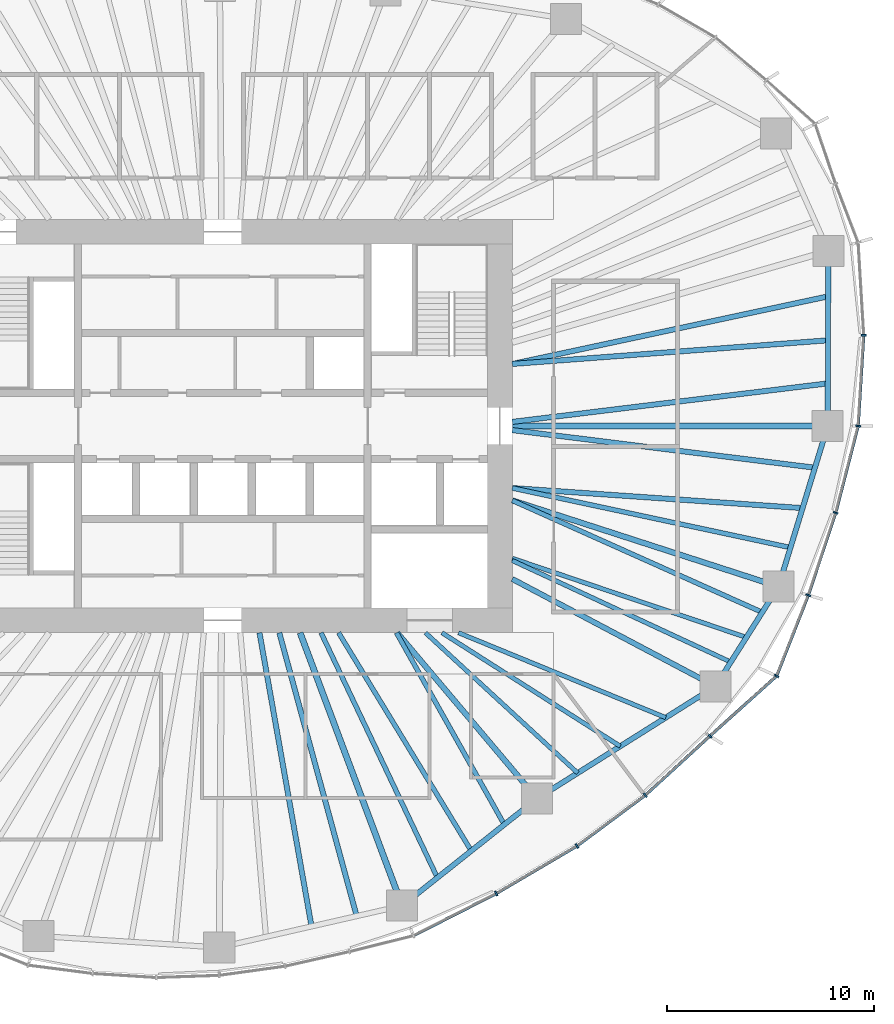
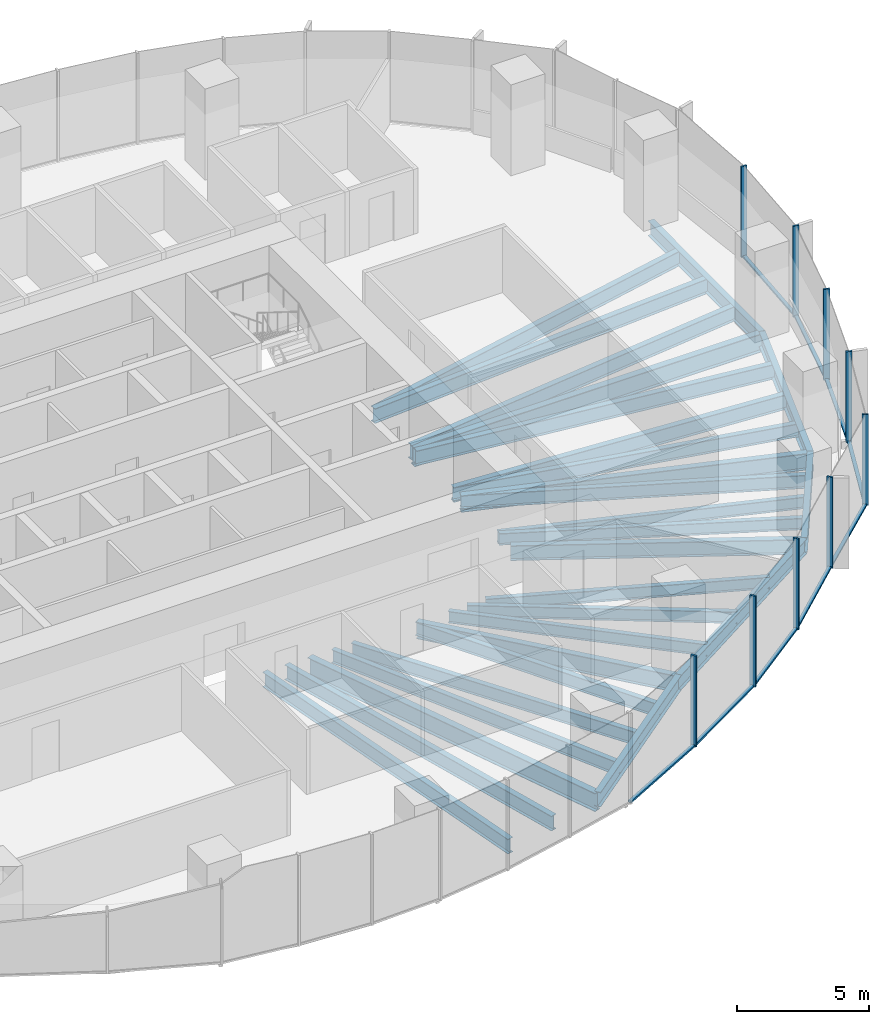
# One storey, part 4 of 18: 27 beams, 18 members, 5 elements without a shape of their own.
"""IFC4 building model written with IfcOpenShell, lengths in metres."""

from ifc_helpers import new_model, si_unit, direction, frame, origin, origin_2d, place, context, subcontext, project, spatial, rectangle, i_section, extrude, material, material_profile, profile_set, type_object, element, aggregate, save


model = new_model("IFC4")

# Units and contexts
model_context = context("Model", 3, precision=1e-05, world=origin(), true_north=direction((0.0, 1.0)))
body_context = subcontext(model_context, "Body", "Model", "MODEL_VIEW")
ifc_project = project(units=[si_unit("LENGTHUNIT", "METRE"), si_unit("AREAUNIT", "SQUARE_METRE"), si_unit("VOLUMEUNIT", "CUBIC_METRE"), si_unit("PLANEANGLEUNIT", "RADIAN"), si_unit("MASSUNIT", "GRAM", prefix="KILO")], contexts=[model_context])

# Site, building, storey
site_placement = place(None, origin())
site = spatial("IfcSite", under=ifc_project, at=site_placement, CompositionType="ELEMENT")
building_placement = place(site_placement, origin())
building = spatial("IfcBuilding", under=site, at=building_placement, Name="Ghaith Harvest Tower", CompositionType="ELEMENT")
storey_placement = place(building_placement, frame((0.0, 0.0, 142.800048828125)))
storey = spatial("IfcBuildingStorey", under=building, at=storey_placement, Name="L30", CompositionType="ELEMENT", Elevation=142.800048828125)

# Curtain wall, members
ifc_material_1 = material(Name="Black anodised aluminium and fritted glass", Category="aluminium")
curtain_wall_type = type_object("IfcCurtainWallType", Name="CW-L CURTAIN WALL", PredefinedType="NOTDEFINED", material=ifc_material_1)
curtain_wall_1_placement = place(storey_placement, origin())
curtain_wall_1 = element("IfcCurtainWall", 1, at=curtain_wall_1_placement, inside=storey, type_object=curtain_wall_type, Name="Curtain wall CW-L bay 01 L30", PredefinedType="NOTDEFINED")
ifc_material_2 = material(Name="Aluminium, black anodised", Category="aluminium")
ifc_material_profile_1 = material_profile(ifc_material_2, rectangle(XDim=0.080078125, YDim=0.239990234375, at=origin_2d()), Name="CW-L MULLION 80x240")
ifc_profile_set_1 = profile_set([ifc_material_profile_1], Name="Aluminium, black anodised")
member_type_1 = type_object("IfcMemberType", Name="CW-L MULLION 80x240", PredefinedType="MULLION", material=ifc_profile_set_1)
member_1_placement = place(storey_placement, frame((30.728759765625, 0.0, 0.0), z_axis=(0.0, 0.0, 1.0), x_axis=(0.155597142981, 0.987820595602, 0.0)))
member_1 = element("IfcMember", 2, at=member_1_placement, type_object=member_type_1, Name="CW-L mullion 1 bay 01 L30", PredefinedType="MULLION", context=body_context, shape_type="SweptSolid", body=[
    extrude(rectangle(XDim=0.080078125, YDim=0.239990234375, at=origin_2d()), origin(), (0.0, 0.0, 1.0), 4.199951171875),
])
member_2_placement = place(storey_placement, frame((30.998779296875, 4.389892578125, 0.0), z_axis=(0.0, 0.0, 1.0), x_axis=(-0.000162467394, 0.999999986802, 0.0)))
member_2 = element("IfcMember", 3, at=member_2_placement, type_object=member_type_1, Name="CW-L mullion 2 bay 01 L30", PredefinedType="MULLION", context=body_context, shape_type="SweptSolid", body=[
    extrude(rectangle(XDim=0.080078125, YDim=0.239990234375, at=origin_2d()), origin(), (0.0, 0.0, 1.0), 4.199951171875),
])

# Curtain wall, member
curtain_wall_2_placement = place(storey_placement, origin())
curtain_wall_2 = element("IfcCurtainWall", 4, at=curtain_wall_2_placement, inside=storey, type_object=curtain_wall_type, Name="Curtain wall CW-L bay 17 L30", PredefinedType="NOTDEFINED")
member_3_placement = place(storey_placement, frame((13.224365234375, -22.614013671875, 0.0), z_axis=(0.0, 0.0, 1.0), x_axis=(0.876898762173, 0.480675109507, 0.0)))
member_3 = element("IfcMember", 5, at=member_3_placement, type_object=member_type_1, Name="CW-L mullion 2 bay 17 L30", PredefinedType="MULLION", context=body_context, shape_type="SweptSolid", body=[
    extrude(rectangle(XDim=0.080078125, YDim=0.239990234375, at=origin_2d()), origin(), (0.0, 0.0, 1.0), 4.199951171875),
])

# Curtain wall, members
curtain_wall_3_placement = place(storey_placement, origin())
curtain_wall_3 = element("IfcCurtainWall", 6, at=curtain_wall_3_placement, inside=storey, type_object=curtain_wall_type, Name="Curtain wall CW-L bay 18 L30", PredefinedType="NOTDEFINED")
member_4_placement = place(storey_placement, frame((17.1318359375, -20.31591796875, 0.0), z_axis=(0.0, 0.0, 1.0), x_axis=(0.834887453241, 0.550420694035, 0.0)))
member_4 = element("IfcMember", 7, at=member_4_placement, type_object=member_type_1, Name="CW-L mullion 1 bay 18 L30", PredefinedType="MULLION", context=body_context, shape_type="SweptSolid", body=[
    extrude(rectangle(XDim=0.080078125, YDim=0.239990234375, at=origin_2d()), origin(), (0.0, 0.0, 1.0), 4.199951171875),
])
member_5_placement = place(storey_placement, frame((20.4296875, -17.86376953125, 0.0), z_axis=(0.0, 0.0, 1.0), x_axis=(0.770306399656, 0.637673937564, 0.0)))
member_5 = element("IfcMember", 8, at=member_5_placement, type_object=member_type_1, Name="CW-L mullion 2 bay 18 L30", PredefinedType="MULLION", context=body_context, shape_type="SweptSolid", body=[
    extrude(rectangle(XDim=0.080078125, YDim=0.239990234375, at=origin_2d()), origin(), (0.0, 0.0, 1.0), 4.199951171875),
])

curtain_wall_4_placement = place(storey_placement, origin())
curtain_wall_4 = element("IfcCurtainWall", 9, at=curtain_wall_4_placement, inside=storey, type_object=curtain_wall_type, Name="Curtain wall CW-L bay 19 L30", PredefinedType="NOTDEFINED")
member_6_placement = place(storey_placement, frame((23.560546875, -14.994140625, 0.0), z_axis=(0.0, 0.0, 1.0), x_axis=(0.740389054945, 0.672178582906, 0.0)))
member_6 = element("IfcMember", 10, at=member_6_placement, type_object=member_type_1, Name="CW-L mullion 1 bay 19 L30", PredefinedType="MULLION", context=body_context, shape_type="SweptSolid", body=[
    extrude(rectangle(XDim=0.080078125, YDim=0.239990234375, at=origin_2d()), origin(), (0.0, 0.0, 1.0), 4.199951171875),
])
member_7_placement = place(storey_placement, frame((26.786376953125, -12.0927734375, 0.0), z_axis=(0.0, 0.0, 1.0), x_axis=(0.572853476908, 0.819657790785, 0.0)))
member_7 = element("IfcMember", 11, at=member_7_placement, type_object=member_type_1, Name="CW-L mullion 2 bay 19 L30", PredefinedType="MULLION", context=body_context, shape_type="SweptSolid", body=[
    extrude(rectangle(XDim=0.080078125, YDim=0.239990234375, at=origin_2d()), origin(), (0.0, 0.0, 1.0), 4.199951171875),
])

curtain_wall_5_placement = place(storey_placement, origin())
curtain_wall_5 = element("IfcCurtainWall", 12, at=curtain_wall_5_placement, inside=storey, type_object=curtain_wall_type, Name="Curtain wall CW-L bay 20 L30", PredefinedType="NOTDEFINED")
member_8_placement = place(storey_placement, frame((28.319580078125, -8.184814453125, 0.0), z_axis=(0.0, 0.0, 1.0), x_axis=(0.34057402484, 0.94021770543, 0.0)))
member_8 = element("IfcMember", 13, at=member_8_placement, type_object=member_type_1, Name="CW-L mullion 1 bay 20 L30", PredefinedType="MULLION", context=body_context, shape_type="SweptSolid", body=[
    extrude(rectangle(XDim=0.080078125, YDim=0.239990234375, at=origin_2d()), origin(), (0.0, 0.0, 1.0), 4.199951171875),
])
member_9_placement = place(storey_placement, frame((29.64599609375, -4.1982421875, 0.0), z_axis=(0.0, 0.0, 1.0), x_axis=(0.282375140161, 0.959304060358, 0.0)))
member_9 = element("IfcMember", 14, at=member_9_placement, type_object=member_type_1, Name="CW-L mullion 2 bay 20 L30", PredefinedType="MULLION", context=body_context, shape_type="SweptSolid", body=[
    extrude(rectangle(XDim=0.080078125, YDim=0.239990234375, at=origin_2d()), origin(), (0.0, 0.0, 1.0), 4.199951171875),
])

# Member
ifc_material_3 = material(Name="Aluminium, black anodised", Category="aluminium")
ifc_material_profile_2 = material_profile(ifc_material_3, rectangle(XDim=0.14990234375, YDim=0.080078125, at=origin_2d()), Name="CW-L TRANSOM 150x80")
ifc_profile_set_2 = profile_set([ifc_material_profile_2], Name="Aluminium, black anodised")
member_type_2 = type_object("IfcMemberType", Name="CW-L TRANSOM 150x80", PredefinedType="USERDEFINED", material=ifc_profile_set_2)
member_10_placement = place(storey_placement, frame((30.731201171875, 0.0400390625, 0.0400390625), z_axis=(0.061403204251, 0.99811304295, 0.0), x_axis=(-0.99811304295, 0.061403204251, 0.0)))
member_10 = element("IfcMember", 15, at=member_10_placement, type_object=member_type_2, Name="CW-L transom 1 bay 01 L30", ObjectType="TRANSOM", PredefinedType="USERDEFINED", context=body_context, shape_type="SweptSolid", body=[
    extrude(rectangle(XDim=0.14990234375, YDim=0.080078125, at=origin_2d()), origin(), (0.0, 0.0, 1.0), 4.31787109375),
])

aggregate(curtain_wall_1, [member_1, member_10, member_2])

member_11_placement = place(storey_placement, frame((9.25244140625, -24.636474609375, 0.0400390625), z_axis=(0.891120044719, 0.453767634258, 0.0), x_axis=(-0.453767634258, 0.891120044719, 0.0)))
member_11 = element("IfcMember", 16, at=member_11_placement, type_object=member_type_2, Name="CW-L transom 1 bay 17 L30", ObjectType="TRANSOM", PredefinedType="USERDEFINED", context=body_context, shape_type="SweptSolid", body=[
    extrude(rectangle(XDim=0.14990234375, YDim=0.080078125, at=origin_2d()), origin(), (0.0, 0.0, 1.0), 4.417236328125),
])

member_12_placement = place(storey_placement, frame((13.259033203125, -22.59375, 0.0400390625), z_axis=(0.86196381091, 0.506969810424, 0.0), x_axis=(-0.506969810424, 0.86196381091, 0.0)))
member_12 = element("IfcMember", 17, at=member_12_placement, type_object=member_type_2, Name="CW-L transom 2 bay 17 L30", ObjectType="TRANSOM", PredefinedType="USERDEFINED", context=body_context, shape_type="SweptSolid", body=[
    extrude(rectangle(XDim=0.14990234375, YDim=0.080078125, at=origin_2d()), origin(), (0.0, 0.0, 1.0), 4.453125),
])

aggregate(curtain_wall_2, [member_11, member_3, member_12])

member_13_placement = place(storey_placement, frame((17.1640625, -20.2919921875, 0.0400390625), z_axis=(0.802465316609, 0.59669876457, 0.0), x_axis=(-0.59669876457, 0.802465316609, 0.0)))
member_13 = element("IfcMember", 18, at=member_13_placement, type_object=member_type_2, Name="CW-L transom 1 bay 18 L30", ObjectType="TRANSOM", PredefinedType="USERDEFINED", context=body_context, shape_type="SweptSolid", body=[
    extrude(rectangle(XDim=0.14990234375, YDim=0.080078125, at=origin_2d()), origin(), (0.0, 0.0, 1.0), 4.029296875),
])

member_14_placement = place(storey_placement, frame((20.459228515625, -17.836669921875, 0.0400390625), z_axis=(0.737197916434, 0.675676869521, 0.0), x_axis=(-0.675676869521, 0.737197916434, 0.0)))
member_14 = element("IfcMember", 19, at=member_14_placement, type_object=member_type_2, Name="CW-L transom 2 bay 18 L30", ObjectType="TRANSOM", PredefinedType="USERDEFINED", context=body_context, shape_type="SweptSolid", body=[
    extrude(rectangle(XDim=0.14990234375, YDim=0.080078125, at=origin_2d()), origin(), (0.0, 0.0, 1.0), 4.166748046875),
])

aggregate(curtain_wall_3, [member_4, member_13, member_5, member_14])

member_15_placement = place(storey_placement, frame((23.59033203125, -14.967529296875, 0.0400390625), z_axis=(0.74346800111, 0.668771509056, 0.0), x_axis=(-0.668771509056, 0.74346800111, 0.0)))
member_15 = element("IfcMember", 20, at=member_15_placement, type_object=member_type_2, Name="CW-L transom 1 bay 19 L30", ObjectType="TRANSOM", PredefinedType="USERDEFINED", context=body_context, shape_type="SweptSolid", body=[
    extrude(rectangle(XDim=0.14990234375, YDim=0.080078125, at=origin_2d()), origin(), (0.0, 0.0, 1.0), 4.2587890625),
])

member_16_placement = place(storey_placement, frame((26.801025390625, -12.055419921875, 0.0400390625), z_axis=(0.365228588652, 0.930917868575, 0.0), x_axis=(-0.930917868575, 0.365228588652, 0.0)))
member_16 = element("IfcMember", 21, at=member_16_placement, type_object=member_type_2, Name="CW-L transom 2 bay 19 L30", ObjectType="TRANSOM", PredefinedType="USERDEFINED", context=body_context, shape_type="SweptSolid", body=[
    extrude(rectangle(XDim=0.14990234375, YDim=0.080078125, at=origin_2d()), origin(), (0.0, 0.0, 1.0), 4.11767578125),
])

aggregate(curtain_wall_4, [member_6, member_15, member_7, member_16])

member_17_placement = place(storey_placement, frame((28.33203125, -8.14697265625, 0.0400390625), z_axis=(0.315712391444, 0.948854934059, 0.0), x_axis=(-0.948854934059, 0.315712391444, 0.0)))
member_17 = element("IfcMember", 22, at=member_17_placement, type_object=member_type_2, Name="CW-L transom 1 bay 20 L30", ObjectType="TRANSOM", PredefinedType="USERDEFINED", context=body_context, shape_type="SweptSolid", body=[
    extrude(rectangle(XDim=0.14990234375, YDim=0.080078125, at=origin_2d()), origin(), (0.0, 0.0, 1.0), 4.12158203125),
])

member_18_placement = place(storey_placement, frame((29.656005859375, -4.159423828125, 0.0400390625), z_axis=(0.249737470584, 0.968313583395, 0.0), x_axis=(-0.968313583395, 0.249737470584, 0.0)))
member_18 = element("IfcMember", 23, at=member_18_placement, type_object=member_type_2, Name="CW-L transom 2 bay 20 L30", ObjectType="TRANSOM", PredefinedType="USERDEFINED", context=body_context, shape_type="SweptSolid", body=[
    extrude(rectangle(XDim=0.14990234375, YDim=0.080078125, at=origin_2d()), origin(), (0.0, 0.0, 1.0), 4.25537109375),
])

aggregate(curtain_wall_5, [member_8, member_17, member_9, member_18])

# Beams
ifc_material_4 = material(Name="Steel ASTM A992 Grade 50", Category="steel")
ifc_material_profile_3 = material_profile(ifc_material_4, i_section(OverallWidth=0.25390625, OverallDepth=0.68408203125, WebThickness=0.012451171875, FlangeThickness=0.018798828125, at=origin_2d()), Name="W690X140")
ifc_profile_set_3 = profile_set([ifc_material_profile_3], Name="Steel ASTM A992 Grade 50")
beam_type_1 = type_object("IfcBeamType", Name="E690-140 W690X140", PredefinedType="SPANDREL", material=ifc_profile_set_3)
beam_1_placement = place(storey_placement, frame((29.259033203125, 0.0, -0.511962890625), z_axis=(0.003172847394, 0.999994966507, 0.0), x_axis=(-0.999994966507, 0.003172847394, 0.0)))
element("IfcBeam", 24, at=beam_1_placement, inside=storey, type_object=beam_type_1, Name="Edge beam E01 L30", PredefinedType="SPANDREL", context=body_context, shape_type="SweptSolid", body=[
    extrude(i_section(OverallWidth=0.25390625, OverallDepth=0.68408203125, WebThickness=0.012451171875, FlangeThickness=0.018798828125, at=origin_2d()), origin(), (0.0, 0.0, 1.0), 8.464111328125),
])
beam_2_placement = place(storey_placement, frame((8.674072265625, -23.202880859375, -0.511962890625), z_axis=(0.783159540917, 0.621820821033, 0.0), x_axis=(-0.621820821033, 0.783159540917, 0.0)))
element("IfcBeam", 25, at=beam_2_placement, inside=storey, type_object=beam_type_1, Name="Edge beam E17 L30", PredefinedType="SPANDREL", context=body_context, shape_type="SweptSolid", body=[
    extrude(i_section(OverallWidth=0.25390625, OverallDepth=0.68408203125, WebThickness=0.012451171875, FlangeThickness=0.018798828125, at=origin_2d()), origin(), (0.0, 0.0, 1.0), 8.330322265625),
])
beam_3_placement = place(storey_placement, frame((15.197998046875, -18.02294921875, -0.511962890625), z_axis=(0.846385185363, 0.532571232793, 0.0), x_axis=(-0.532571232793, 0.846385185363, 0.0)))
element("IfcBeam", 26, at=beam_3_placement, inside=storey, type_object=beam_type_1, Name="Edge beam E18 L30", PredefinedType="SPANDREL", context=body_context, shape_type="SweptSolid", body=[
    extrude(i_section(OverallWidth=0.25390625, OverallDepth=0.68408203125, WebThickness=0.012451171875, FlangeThickness=0.018798828125, at=origin_2d()), origin(), (0.0, 0.0, 1.0), 10.19384765625),
])
beam_4_placement = place(storey_placement, frame((23.825927734375, -12.593994140625, -0.511962890625), z_axis=(0.534499624093, 0.845168712059, 0.0), x_axis=(-0.845168712059, 0.534499624093, 0.0)))
element("IfcBeam", 27, at=beam_4_placement, inside=storey, type_object=beam_type_1, Name="Edge beam E19 L30", PredefinedType="SPANDREL", context=body_context, shape_type="SweptSolid", body=[
    extrude(i_section(OverallWidth=0.25390625, OverallDepth=0.68408203125, WebThickness=0.012451171875, FlangeThickness=0.018798828125, at=origin_2d()), origin(), (0.0, 0.0, 1.0), 5.7099609375),
])
beam_5_placement = place(storey_placement, frame((26.8779296875, -7.76806640625, -0.511962890625), z_axis=(0.293065809375, 0.956092271371, 0.0), x_axis=(-0.956092271371, 0.293065809375, 0.0)))
element("IfcBeam", 28, at=beam_5_placement, inside=storey, type_object=beam_type_1, Name="Edge beam E20 L30", PredefinedType="SPANDREL", context=body_context, shape_type="SweptSolid", body=[
    extrude(i_section(OverallWidth=0.25390625, OverallDepth=0.68408203125, WebThickness=0.012451171875, FlangeThickness=0.018798828125, at=origin_2d()), origin(), (0.0, 0.0, 1.0), 8.124755859375),
])
ifc_material_5 = material(Name="Steel ASTM A992 Grade 50", Category="steel")
ifc_material_profile_4 = material_profile(ifc_material_5, i_section(OverallWidth=0.256103515625, OverallDepth=0.693115234375, WebThickness=0.014404296875, FlangeThickness=0.023681640625, at=origin_2d()), Name="W690X170")
ifc_profile_set_4 = profile_set([ifc_material_profile_4], Name="Steel ASTM A992 Grade 50")
beam_type_2 = type_object("IfcBeamType", Name="G690-170 W690X170", PredefinedType="BEAM", material=ifc_profile_set_4)
beam_6_placement = place(storey_placement, frame((14.0, -7.39990234375, -0.5166015625), z_axis=(0.884080549082, -0.467334551189, 0.0), x_axis=(0.467334551189, 0.884080549082, 0.0)))
element("IfcBeam", 29, at=beam_6_placement, inside=storey, type_object=beam_type_2, Name="Radial girder G19 L30", PredefinedType="BEAM", context=body_context, shape_type="SweptSolid", body=[
    extrude(i_section(OverallWidth=0.256103515625, OverallDepth=0.693115234375, WebThickness=0.014404296875, FlangeThickness=0.023681640625, at=origin_2d()), origin(), (0.0, 0.0, 1.0), 11.1142578125),
])
ifc_material_6 = material(Name="Steel ASTM A992 Grade 50", Category="steel")
ifc_material_profile_5 = material_profile(ifc_material_6, i_section(OverallWidth=0.26806640625, OverallDepth=0.77001953125, WebThickness=0.015625, FlangeThickness=0.025390625, at=origin_2d()), Name="W760X196")
ifc_profile_set_5 = profile_set([ifc_material_profile_5], Name="Steel ASTM A992 Grade 50")
beam_type_3 = type_object("IfcBeamType", Name="G760-196 W760X196", PredefinedType="BEAM", material=ifc_profile_set_5)
beam_7_placement = place(storey_placement, frame((8.4326171875, -10.0, -0.554931640625), z_axis=(0.644649240595, -0.764478486682, 0.0), x_axis=(0.764478486682, 0.644649240595, 0.0)))
element("IfcBeam", 30, at=beam_7_placement, inside=storey, type_object=beam_type_3, Name="Radial girder G18 L30", PredefinedType="BEAM", context=body_context, shape_type="SweptSolid", body=[
    extrude(i_section(OverallWidth=0.26806640625, OverallDepth=0.77001953125, WebThickness=0.015625, FlangeThickness=0.025390625, at=origin_2d()), origin(), (0.0, 0.0, 1.0), 10.49462890625),
])
beam_8_placement = place(storey_placement, frame((14.0, -3.60009765625, -0.554931640625), z_axis=(0.951410331565, -0.307925934262, 0.0), x_axis=(0.307925934262, 0.951410331565, 0.0)))
element("IfcBeam", 31, at=beam_8_placement, inside=storey, type_object=beam_type_3, Name="Radial girder G20 L30", PredefinedType="BEAM", context=body_context, shape_type="SweptSolid", body=[
    extrude(i_section(OverallWidth=0.26806640625, OverallDepth=0.77001953125, WebThickness=0.015625, FlangeThickness=0.025390625, at=origin_2d()), origin(), (0.0, 0.0, 1.0), 13.53564453125),
])
ifc_material_7 = material(Name="Steel ASTM A992 Grade 50", Category="steel")
ifc_material_profile_6 = material_profile(ifc_material_7, i_section(OverallWidth=0.2939453125, OverallDepth=0.85107421875, WebThickness=0.01611328125, FlangeThickness=0.02685546875, at=origin_2d()), Name="W840X226")
ifc_profile_set_6 = profile_set([ifc_material_profile_6], Name="Steel ASTM A992 Grade 50")
beam_type_4 = type_object("IfcBeamType", Name="G840-226 W840X226", PredefinedType="BEAM", material=ifc_profile_set_6)
beam_9_placement = place(storey_placement, frame((14.0, 0.0, -0.595458984375), z_axis=(1.0, 0.0, 0.0), x_axis=(0.0, 1.0, 0.0)))
element("IfcBeam", 32, at=beam_9_placement, inside=storey, type_object=beam_type_4, Name="Radial girder G01 L30", PredefinedType="BEAM", context=body_context, shape_type="SweptSolid", body=[
    extrude(i_section(OverallWidth=0.2939453125, OverallDepth=0.85107421875, WebThickness=0.01611328125, FlangeThickness=0.02685546875, at=origin_2d()), origin(), (0.0, 0.0, 1.0), 15.259033203125),
])
beam_10_placement = place(storey_placement, frame((3.73828125, -10.0, -0.595458984375), z_axis=(0.350172283717, -0.936685310932, 0.0), x_axis=(0.936685310932, 0.350172283717, 0.0)))
element("IfcBeam", 33, at=beam_10_placement, inside=storey, type_object=beam_type_4, Name="Radial girder G17 L30", PredefinedType="BEAM", context=body_context, shape_type="SweptSolid", body=[
    extrude(i_section(OverallWidth=0.2939453125, OverallDepth=0.85107421875, WebThickness=0.01611328125, FlangeThickness=0.02685546875, at=origin_2d()), origin(), (0.0, 0.0, 1.0), 14.09521484375),
])
ifc_material_8 = material(Name="Steel ASTM A992 Grade 50", Category="steel")
ifc_material_profile_7 = material_profile(ifc_material_8, i_section(OverallWidth=0.2109375, OverallDepth=0.5390625, WebThickness=0.01171875, FlangeThickness=0.018798828125, at=origin_2d()), Name="W530X109")
ifc_profile_set_7 = profile_set([ifc_material_profile_7], Name="Steel ASTM A992 Grade 50")
beam_type_5 = type_object("IfcBeamType", Name="J530-109 W530X109", PredefinedType="JOIST", material=ifc_profile_set_7)
beam_11_placement = place(storey_placement, frame((9.800048828125, -10.0, -0.439453125), z_axis=(0.735441512033, -0.677588210035, 0.0), x_axis=(0.677588210035, 0.735441512033, 0.0)))
element("IfcBeam", 34, at=beam_11_placement, inside=storey, type_object=beam_type_5, Name="Joist J18.1 L30", PredefinedType="JOIST", context=body_context, shape_type="SweptSolid", body=[
    extrude(i_section(OverallWidth=0.2109375, OverallDepth=0.5390625, WebThickness=0.01171875, FlangeThickness=0.018798828125, at=origin_2d()), origin(), (0.0, 0.0, 1.0), 10.01416015625),
])
beam_12_placement = place(storey_placement, frame((10.60009765625, -10.0, -0.439453125), z_axis=(0.843584777848, -0.536996017288, 0.0), x_axis=(0.536996017288, 0.843584777848, 0.0)))
element("IfcBeam", 35, at=beam_12_placement, inside=storey, type_object=beam_type_5, Name="Joist J18.2 L30", PredefinedType="JOIST", context=body_context, shape_type="SweptSolid", body=[
    extrude(i_section(OverallWidth=0.2109375, OverallDepth=0.5390625, WebThickness=0.01171875, FlangeThickness=0.018798828125, at=origin_2d()), origin(), (0.0, 0.0, 1.0), 10.22314453125),
])
beam_13_placement = place(storey_placement, frame((11.39990234375, -10.0, -0.439453125), z_axis=(0.925406878607, -0.378975077053, 0.0), x_axis=(0.378975077053, 0.925406878607, 0.0)))
element("IfcBeam", 36, at=beam_13_placement, inside=storey, type_object=beam_type_5, Name="Joist J18.3 L30", PredefinedType="JOIST", context=body_context, shape_type="SweptSolid", body=[
    extrude(i_section(OverallWidth=0.2109375, OverallDepth=0.5390625, WebThickness=0.01171875, FlangeThickness=0.018798828125, at=origin_2d()), origin(), (0.0, 0.0, 1.0), 10.83251953125),
])
beam_14_placement = place(storey_placement, frame((14.0, -6.506103515625, -0.439453125), z_axis=(0.906863188232, -0.421425150922, 0.0), x_axis=(0.421425150922, 0.906863188232, 0.0)))
element("IfcBeam", 37, at=beam_14_placement, inside=storey, type_object=beam_type_5, Name="Joist J19.1 L30", PredefinedType="JOIST", context=body_context, shape_type="SweptSolid", body=[
    extrude(i_section(OverallWidth=0.2109375, OverallDepth=0.5390625, WebThickness=0.01171875, FlangeThickness=0.018798828125, at=origin_2d()), origin(), (0.0, 0.0, 1.0), 11.6552734375),
])
beam_15_placement = place(storey_placement, frame((14.0, -6.39990234375, -0.439453125), z_axis=(0.947372072272, -0.320134591508, 0.0), x_axis=(0.320134591508, 0.947372072272, 0.0)))
element("IfcBeam", 38, at=beam_15_placement, inside=storey, type_object=beam_type_5, Name="Joist J19.2 L30", PredefinedType="JOIST", context=body_context, shape_type="SweptSolid", body=[
    extrude(i_section(OverallWidth=0.2109375, OverallDepth=0.5390625, WebThickness=0.01171875, FlangeThickness=0.018798828125, at=origin_2d()), origin(), (0.0, 0.0, 1.0), 11.95263671875),
])
ifc_material_9 = material(Name="Steel ASTM A992 Grade 50", Category="steel")
ifc_material_profile_8 = material_profile(ifc_material_9, i_section(OverallWidth=0.22900390625, OverallDepth=0.612060546875, WebThickness=0.011962890625, FlangeThickness=0.01953125, at=origin_2d()), Name="W610X125")
ifc_profile_set_8 = profile_set([ifc_material_profile_8], Name="Steel ASTM A992 Grade 50")
beam_type_6 = type_object("IfcBeamType", Name="J610-125 W610X125", PredefinedType="JOIST", material=ifc_profile_set_8)
beam_16_placement = place(storey_placement, frame((4.75, -10.0, -0.47607421875), z_axis=(0.429062888327, -0.903274619294, 0.0), x_axis=(0.903274619294, 0.429062888327, 0.0)))
element("IfcBeam", 39, at=beam_16_placement, inside=storey, type_object=beam_type_6, Name="Joist J17.1 L30", PredefinedType="JOIST", context=body_context, shape_type="SweptSolid", body=[
    extrude(i_section(OverallWidth=0.22900390625, OverallDepth=0.612060546875, WebThickness=0.011962890625, FlangeThickness=0.01953125, at=origin_2d()), origin(), (0.0, 0.0, 1.0), 13.118408203125),
])
beam_17_placement = place(storey_placement, frame((5.60009765625, -10.0, -0.47607421875), z_axis=(0.51969412955, -0.854352393167, 0.0), x_axis=(0.854352393167, 0.51969412955, 0.0)))
element("IfcBeam", 40, at=beam_17_placement, inside=storey, type_object=beam_type_6, Name="Joist J17.2 L30", PredefinedType="JOIST", context=body_context, shape_type="SweptSolid", body=[
    extrude(i_section(OverallWidth=0.22900390625, OverallDepth=0.612060546875, WebThickness=0.011962890625, FlangeThickness=0.01953125, at=origin_2d()), origin(), (0.0, 0.0, 1.0), 12.34716796875),
])
beam_18_placement = place(storey_placement, frame((8.39990234375, -10.0, -0.47607421875), z_axis=(0.489936713337, -0.871758003648, 0.0), x_axis=(0.871758003648, 0.489936713337, 0.0)))
element("IfcBeam", 41, at=beam_18_placement, inside=storey, type_object=beam_type_6, Name="Joist J17.3 L30", PredefinedType="JOIST", context=body_context, shape_type="SweptSolid", body=[
    extrude(i_section(OverallWidth=0.22900390625, OverallDepth=0.612060546875, WebThickness=0.011962890625, FlangeThickness=0.01953125, at=origin_2d()), origin(), (0.0, 0.0, 1.0), 10.64501953125),
])
beam_19_placement = place(storey_placement, frame((14.0, -3.60009765625, -0.47607421875), z_axis=(0.912738327266, -0.408544668231, 0.0), x_axis=(0.408544668231, 0.912738327266, 0.0)))
element("IfcBeam", 42, at=beam_19_placement, inside=storey, type_object=beam_type_6, Name="Joist J19.3 L30", PredefinedType="JOIST", context=body_context, shape_type="SweptSolid", body=[
    extrude(i_section(OverallWidth=0.22900390625, OverallDepth=0.612060546875, WebThickness=0.011962890625, FlangeThickness=0.01953125, at=origin_2d()), origin(), (0.0, 0.0, 1.0), 13.247314453125),
])
beam_20_placement = place(storey_placement, frame((14.0, -3.0, -0.47607421875), z_axis=(0.97783433664, -0.209380061343, 0.0), x_axis=(0.209380061343, 0.97783433664, 0.0)))
element("IfcBeam", 43, at=beam_20_placement, inside=storey, type_object=beam_type_6, Name="Joist J20.1 L30", PredefinedType="JOIST", context=body_context, shape_type="SweptSolid", body=[
    extrude(i_section(OverallWidth=0.22900390625, OverallDepth=0.612060546875, WebThickness=0.011962890625, FlangeThickness=0.01953125, at=origin_2d()), origin(), (0.0, 0.0, 1.0), 13.76123046875),
])
ifc_material_10 = material(Name="Steel ASTM A992 Grade 50", Category="steel")
ifc_material_profile_9 = material_profile(ifc_material_10, i_section(OverallWidth=0.25390625, OverallDepth=0.68408203125, WebThickness=0.012451171875, FlangeThickness=0.018798828125, at=origin_2d()), Name="W690X140")
ifc_profile_set_9 = profile_set([ifc_material_profile_9], Name="Steel ASTM A992 Grade 50")
beam_type_7 = type_object("IfcBeamType", Name="J690-140 W690X140", PredefinedType="JOIST", material=ifc_profile_set_9)
beam_21_placement = place(storey_placement, frame((14.0, 0.199951171875, -0.511962890625), z_axis=(0.992642759881, 0.121079937462, 0.0), x_axis=(-0.121079937462, 0.992642759881, 0.0)))
element("IfcBeam", 44, at=beam_21_placement, inside=storey, type_object=beam_type_7, Name="Joist J01.1 L30", PredefinedType="JOIST", context=body_context, shape_type="SweptSolid", body=[
    extrude(i_section(OverallWidth=0.25390625, OverallDepth=0.68408203125, WebThickness=0.012451171875, FlangeThickness=0.018798828125, at=origin_2d()), origin(), (0.0, 0.0, 1.0), 15.378662109375),
])
beam_22_placement = place(storey_placement, frame((14.0, 3.0, -0.511962890625), z_axis=(0.997200052902, 0.074780040735, 0.0), x_axis=(-0.074780040735, 0.997200052902, 0.0)))
element("IfcBeam", 45, at=beam_22_placement, inside=storey, type_object=beam_type_7, Name="Joist J01.2 L30", PredefinedType="JOIST", context=body_context, shape_type="SweptSolid", body=[
    extrude(i_section(OverallWidth=0.25390625, OverallDepth=0.68408203125, WebThickness=0.012451171875, FlangeThickness=0.018798828125, at=origin_2d()), origin(), (0.0, 0.0, 1.0), 15.315185546875),
])
beam_23_placement = place(storey_placement, frame((14.0, 3.0, -0.511962890625), z_axis=(0.977833271545, 0.209385035425, 0.0), x_axis=(-0.209385035425, 0.977833271545, 0.0)))
element("IfcBeam", 46, at=beam_23_placement, inside=storey, type_object=beam_type_7, Name="Joist J01.3 L30", PredefinedType="JOIST", context=body_context, shape_type="SweptSolid", body=[
    extrude(i_section(OverallWidth=0.25390625, OverallDepth=0.68408203125, WebThickness=0.012451171875, FlangeThickness=0.018798828125, at=origin_2d()), origin(), (0.0, 0.0, 1.0), 15.62548828125),
])
beam_24_placement = place(storey_placement, frame((1.772705078125, -10.0, -0.511962890625), z_axis=(0.174552818486, -0.98464781194, 0.0), x_axis=(0.98464781194, 0.174552818486, 0.0)))
element("IfcBeam", 47, at=beam_24_placement, inside=storey, type_object=beam_type_7, Name="Joist J16.2 L30", PredefinedType="JOIST", context=body_context, shape_type="SweptSolid", body=[
    extrude(i_section(OverallWidth=0.25390625, OverallDepth=0.68408203125, WebThickness=0.012451171875, FlangeThickness=0.018798828125, at=origin_2d()), origin(), (0.0, 0.0, 1.0), 14.42578125),
])
beam_25_placement = place(storey_placement, frame((2.73095703125, -10.0, -0.511962890625), z_axis=(0.263463446032, -0.964669379946, 0.0), x_axis=(0.964669379946, 0.263463446032, 0.0)))
element("IfcBeam", 48, at=beam_25_placement, inside=storey, type_object=beam_type_7, Name="Joist J16.3 L30", PredefinedType="JOIST", context=body_context, shape_type="SweptSolid", body=[
    extrude(i_section(OverallWidth=0.25390625, OverallDepth=0.68408203125, WebThickness=0.012451171875, FlangeThickness=0.018798828125, at=origin_2d()), origin(), (0.0, 0.0, 1.0), 14.20751953125),
])
beam_26_placement = place(storey_placement, frame((14.0, -3.0, -0.511962890625), z_axis=(0.997616678907, -0.068999724397, 0.0), x_axis=(0.068999724397, 0.997616678907, 0.0)))
element("IfcBeam", 49, at=beam_26_placement, inside=storey, type_object=beam_type_7, Name="Joist J20.2 L30", PredefinedType="JOIST", context=body_context, shape_type="SweptSolid", body=[
    extrude(i_section(OverallWidth=0.25390625, OverallDepth=0.68408203125, WebThickness=0.012451171875, FlangeThickness=0.018798828125, at=origin_2d()), origin(), (0.0, 0.0, 1.0), 14.0751953125),
])
beam_27_placement = place(storey_placement, frame((14.0, -0.199951171875, -0.511962890625), z_axis=(0.992379127816, -0.123222021874, 0.0), x_axis=(0.123222021874, 0.992379127816, 0.0)))
element("IfcBeam", 50, at=beam_27_placement, inside=storey, type_object=beam_type_7, Name="Joist J20.3 L30", PredefinedType="JOIST", context=body_context, shape_type="SweptSolid", body=[
    extrude(i_section(OverallWidth=0.25390625, OverallDepth=0.68408203125, WebThickness=0.012451171875, FlangeThickness=0.018798828125, at=origin_2d()), origin(), (0.0, 0.0, 1.0), 14.7529296875),
])

save(model, "model.ifc")
